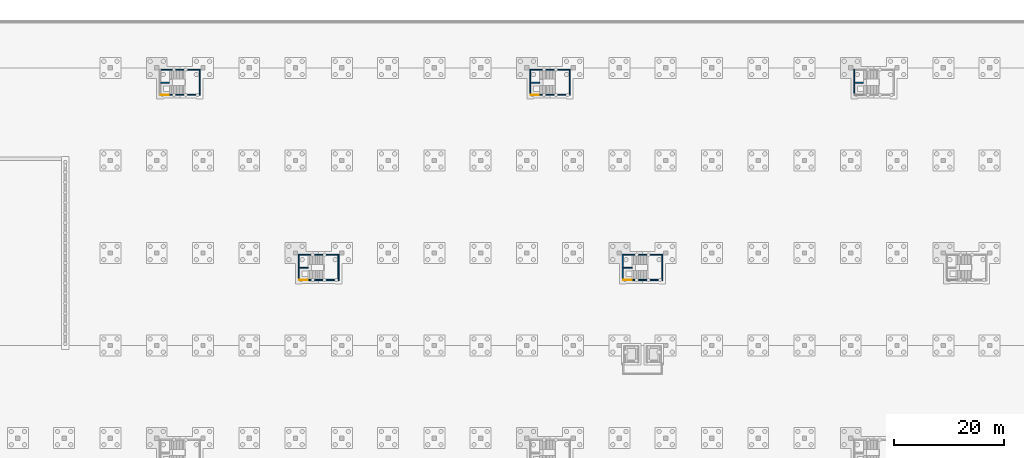
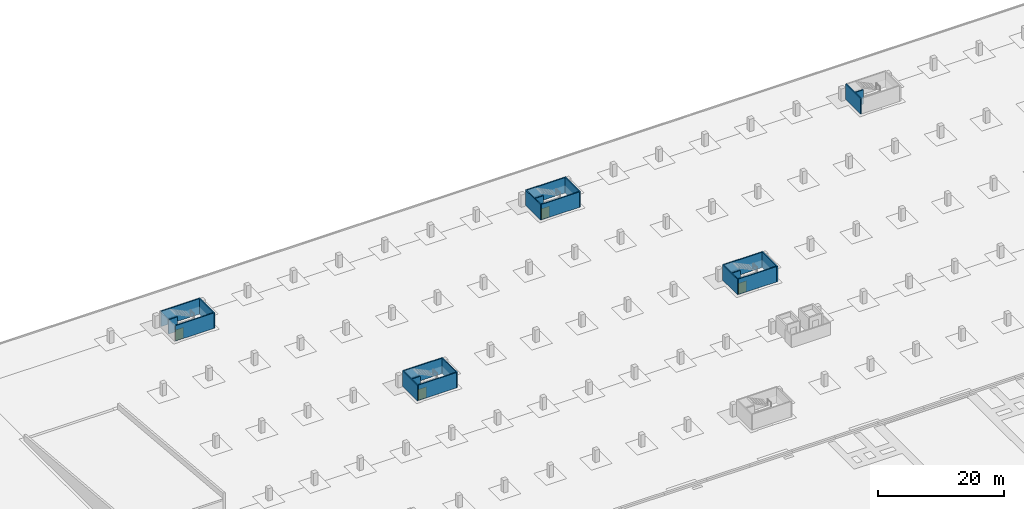
# One storey, part 46 of 67: 21 walls, 4 doors, 4 openings.
"""IFC4 building model written with IfcOpenShell, lengths in metres."""

import ifcopenshell
import ifcopenshell.guid

model = None  # the IFC model being written
_history = None  # IfcOwnerHistory: only IFC2X3 demands one
_inside = {}  # id of a spatial element -> (the spatial element, [elements in it])
_under = {}  # id of a project, library or spatial element -> (it, [spatial elements below it])
_declared = {}  # id of a project -> (the project, [libraries it declares])
_typed = {}  # id of a type object -> (the type object, [elements of that type])
_made_of = {}  # id of a material, layer set ... -> (it, [elements and type objects made of it])


def new_model(schema):
    """Start an empty IFC model of exactly this schema.

    Asked for "IFC4X3", IfcOpenShell would pick the latest addendum, in which some entities
    have other attributes; the version numbers below select the first issue.
    IFC2X3 requires an IfcOwnerHistory on every rooted entity: one is made here for all.
    """
    global model, _history
    if schema == "IFC4X3":
        model = ifcopenshell.file(schema_version=(4, 3, 0, 0))
    else:
        model = ifcopenshell.file(schema=schema)
    _inside.clear()
    _under.clear()
    _declared.clear()
    _typed.clear()
    _made_of.clear()
    _history = None
    if model.schema == "IFC2X3":
        org = make("IfcOrganization", Name="unknown")
        user = make(
            "IfcPersonAndOrganization",
            ThePerson=make("IfcPerson", FamilyName="unknown"),
            TheOrganization=org,
        )
        app = make(
            "IfcApplication",
            ApplicationDeveloper=org,
            Version="unknown",
            ApplicationFullName="unknown",
            ApplicationIdentifier="unknown",
        )
        _history = make(
            "IfcOwnerHistory",
            OwningUser=user,
            OwningApplication=app,
            ChangeAction="ADDED",
            CreationDate=0,
        )
    return model


def make(cls, **values):
    """One entity of the class cls with the attributes given. An attribute that is None is left unset."""
    return model.create_entity(
        cls, **{name: value for name, value in values.items() if value is not None}
    )


def rooted(cls, **values):
    """An entity with a GlobalId (a new one), such as an element, a storey or a relation."""
    return make(cls, GlobalId=ifcopenshell.guid.new(), OwnerHistory=_history, **values)


def si_unit(unit_type, name, prefix=None):
    """IfcSIUnit, for example si_unit("LENGTHUNIT", "METRE", prefix="MILLI")."""
    return make("IfcSIUnit", UnitType=unit_type, Prefix=prefix, Name=name)


def assignment(units):
    """IfcUnitAssignment: the units of a project."""
    return None if units is None else make("IfcUnitAssignment", Units=units)


def point(xyz):
    """IfcCartesianPoint."""
    return None if xyz is None else make("IfcCartesianPoint", Coordinates=xyz)


def direction(xyz):
    """IfcDirection."""
    return None if xyz is None else make("IfcDirection", DirectionRatios=xyz)


def frame(location, z_axis=None, x_axis=None):
    """IfcAxis2Placement3D, a coordinate frame: its origin and axes. An axis left out is left unset."""
    return make(
        "IfcAxis2Placement3D",
        Location=point(location),
        Axis=direction(z_axis),
        RefDirection=direction(x_axis),
    )


def frame_2d(location, x_axis=None):
    """IfcAxis2Placement2D, a coordinate frame in the plane: its origin and x axis."""
    return make(
        "IfcAxis2Placement2D", Location=point(location), RefDirection=direction(x_axis)
    )


def origin():
    """The frame at (0, 0, 0) with its axes left unset."""
    return frame((0.0, 0.0, 0.0))


def place(relative_to, where):
    """IfcLocalPlacement: puts the frame where relative to a parent placement (None: the world)."""
    return make(
        "IfcLocalPlacement", PlacementRelTo=relative_to, RelativePlacement=where
    )


def context(
    kind, dimensions, precision=None, world=None, true_north=None, identifier=None
):
    """IfcGeometricRepresentationContext, for example the 3D "Model" context."""
    return make(
        "IfcGeometricRepresentationContext",
        ContextIdentifier=identifier,
        ContextType=kind,
        CoordinateSpaceDimension=dimensions,
        Precision=precision,
        WorldCoordinateSystem=world,
        TrueNorth=true_north,
    )


def subcontext(parent, identifier, kind, view, scale=None):
    """IfcGeometricRepresentationSubContext, for example "Body" below "Model"."""
    return make(
        "IfcGeometricRepresentationSubContext",
        ContextIdentifier=identifier,
        ContextType=kind,
        ParentContext=parent,
        TargetScale=scale,
        TargetView=view,
    )


def project(units=None, contexts=None):
    """IfcProject with its units and contexts."""
    return rooted(
        "IfcProject",
        Name="project",
        RepresentationContexts=contexts,
        UnitsInContext=assignment(units),
    )


def spatial(cls, under=None, at=None, **own):
    """A site, building, storey or space (cls), placed at a placement, below another one or the project."""
    s = rooted(cls, ObjectPlacement=at, **own)
    if under is not None:
        _under.setdefault(under.id(), (under, []))[1].append(s)
    return s


def profile(cls, at=None, kind="AREA", **sizes):
    """A parametric profile (cls). Its sizes go by their IFC names, for example OverallWidth=200.0."""
    return make(cls, ProfileType=kind, Position=at, **sizes)


def rectangle(**sizes):
    """IfcRectangleProfileDef."""
    return profile("IfcRectangleProfileDef", **sizes)


def extrude(swept, where, along, depth):
    """IfcExtrudedAreaSolid: the profile swept, set in the frame where, extruded along a direction by depth."""
    return make(
        "IfcExtrudedAreaSolid",
        SweptArea=swept,
        Position=where,
        ExtrudedDirection=direction(along),
        Depth=depth,
    )


def shape(context_of_items, identifier, shape_type, items):
    """IfcShapeRepresentation: the items that make up one representation, for example the "Body"."""
    return make(
        "IfcShapeRepresentation",
        ContextOfItems=context_of_items,
        RepresentationIdentifier=identifier,
        RepresentationType=shape_type,
        Items=items,
    )


def material(Name=None, Category=None):
    """IfcMaterial."""
    return make("IfcMaterial", Name=Name, Category=Category)


def layer(
    of_material, thickness, ventilated=None, Name=None, Category=None, Priority=None
):
    """IfcMaterialLayer: one layer of a wall or slab, of a material (None: an air gap)."""
    return make(
        "IfcMaterialLayer",
        Material=of_material,
        LayerThickness=thickness,
        IsVentilated=ventilated,
        Name=Name,
        Category=Category,
        Priority=Priority,
    )


def layer_set(layers, Name=None):
    """IfcMaterialLayerSet."""
    return make("IfcMaterialLayerSet", MaterialLayers=layers, LayerSetName=Name)


def made_of(thing, what):
    """Note that an element or type object is made of a material, layer set ...; save() writes the relation."""
    if what is not None:
        _made_of.setdefault(what.id(), (what, []))[1].append(thing)
    return thing


def type_object(cls, material=None, **own):
    """A type object (cls), such as IfcWallType, which elements share."""
    return made_of(rooted(cls, **own), material)


def element(
    cls,
    number,
    at=None,
    inside=None,
    cuts=None,
    type_object=None,
    material=None,
    context=None,
    identifier="Body",
    shape_type=None,
    held_by="IfcProductDefinitionShape",
    body=None,
    shapes=None,
    **own,
):
    """One element of the class cls, such as IfcWall. Its Tag is "e" and its number.

    at: its placement. inside: the storey or other place that contains it. cuts: it is an
    opening in that element (IfcRelVoidsElement). A single representation is given by context,
    identifier, shape_type and body (its items); several are given by shapes. held_by: the class
    of the entity that holds the representations. save() writes the other relations.
    """
    e = rooted(cls, Tag="e%d" % number, ObjectPlacement=at, **own)
    if body is not None:
        shapes = [shape(context, identifier, shape_type, body)]
    if shapes is not None:
        e.Representation = make(held_by, Representations=shapes)
    if inside is not None:
        _inside.setdefault(inside.id(), (inside, []))[1].append(e)
    if cuts is not None:
        rooted(
            "IfcRelVoidsElement", RelatingBuildingElement=cuts, RelatedOpeningElement=e
        )
    if type_object is not None:
        _typed.setdefault(type_object.id(), (type_object, []))[1].append(e)
    return made_of(e, material)


def fill(opening, filler):
    """IfcRelFillsElement: the door or window that sits in an opening."""
    return rooted(
        "IfcRelFillsElement",
        RelatingOpeningElement=opening,
        RelatedBuildingElement=filler,
    )


def aggregate(whole, parts):
    """IfcRelAggregates: a whole, such as a stair, and the parts it consists of."""
    return rooted("IfcRelAggregates", RelatingObject=whole, RelatedObjects=parts)


def save(model, path):
    """Write the relations noted so far, then the file.

    IfcRelAggregates (storeys below a building ...), IfcRelContainedInSpatialStructure (elements
    in a storey), IfcRelDefinesByType, IfcRelAssociatesMaterial and IfcRelDeclares: one each for
    every whole, place, type object, material and project.
    """
    for whole, parts in _under.values():
        aggregate(whole, parts)
    for where, things in _inside.values():
        rooted(
            "IfcRelContainedInSpatialStructure",
            RelatedElements=things,
            RelatingStructure=where,
        )
    for kind, things in _typed.values():
        rooted("IfcRelDefinesByType", RelatedObjects=things, RelatingType=kind)
    for what, things in _made_of.values():
        rooted("IfcRelAssociatesMaterial", RelatedObjects=things, RelatingMaterial=what)
    for by, libraries in _declared.values():
        rooted("IfcRelDeclares", RelatingContext=by, RelatedDefinitions=libraries)
    model.write(path)


model = new_model("IFC4")

# Units and contexts
model_context = context("Model", 3, precision=1e-05, world=origin(), true_north=direction((0.0, 1.0)))
body_context = subcontext(model_context, "Body", "Model", "MODEL_VIEW")
ifc_project = project(units=[si_unit("LENGTHUNIT", "METRE"), si_unit("AREAUNIT", "SQUARE_METRE"), si_unit("VOLUMEUNIT", "CUBIC_METRE"), si_unit("PLANEANGLEUNIT", "RADIAN"), si_unit("MASSUNIT", "GRAM", prefix="KILO")], contexts=[model_context])

# Site, building, storey
site_placement = place(None, origin())
site = spatial("IfcSite", under=ifc_project, at=site_placement, CompositionType="ELEMENT")
building_placement = place(site_placement, origin())
building = spatial("IfcBuilding", under=site, at=building_placement, Name="Rain Tree Exposition and Congress Centre", CompositionType="ELEMENT")
storey_placement = place(building_placement, frame((0.0, 0.0, -3.0)))
storey = spatial("IfcBuildingStorey", under=building, at=storey_placement, Name="B1", CompositionType="ELEMENT", Elevation=-3.0)

# Walls
ifc_material_1 = material(Name="Concrete C40/50", Category="concrete")
ifc_layer = layer(ifc_material_1, 0.199951171875)
ifc_layer_set = layer_set([ifc_layer], Name="Concrete C40/50")
wall_type = type_object("IfcWallType", Name="Exit stair wall 200", PredefinedType="PARTITIONING", material=ifc_layer_set)
for number, where, z_axis, x_axis, name in (
    (1, (67.800048828125, 247.0, 0.0), (0.0, 0.0, 1.0), (0.0, 1.0, 0.0), "Exit stair N05 wall west"),
    (2, (75.0, 247.0, 0.0), (0.0, 0.0, 1.0), (0.0, 1.0, 0.0), "Exit stair N05 wall east"),
):
    element("IfcWall", number, at=place(storey_placement, frame(where, z_axis=z_axis, x_axis=x_axis)), inside=storey, type_object=wall_type, Name=name, PredefinedType="SOLIDWALL", context=body_context, shape_type="SweptSolid", body=[
        extrude(rectangle(XDim=4.800048828125, YDim=0.199951171875, at=frame_2d((2.39990234375, 0.0))), origin(), (0.0, 0.0, 1.0), 3.0),
    ])

# Wall, opening, door
wall_1_placement = place(storey_placement, frame((67.89990234375, 247.10009765625, 0.0), z_axis=(0.0, 0.0, 1.0), x_axis=(1.0, 0.0, 0.0)))
wall_1 = element("IfcWall", 3, at=wall_1_placement, inside=storey, type_object=wall_type, Name="Exit stair N05 wall south", PredefinedType="SOLIDWALL", context=body_context, shape_type="SweptSolid", body=[
    extrude(rectangle(XDim=7.0, YDim=0.199951171875, at=frame_2d((3.5, 0.0))), origin(), (0.0, 0.0, 1.0), 3.0),
])
opening_1_placement = place(wall_1_placement, origin())
opening_1 = element("IfcOpeningElement", 4, at=opening_1_placement, cuts=wall_1, Name="Opening DS147", PredefinedType="OPENING", context=body_context, shape_type="SweptSolid", body=[
    extrude(rectangle(XDim=1.5, YDim=2.10009765625, at=frame_2d((0.75, 1.050048828125))), frame((0.0, 0.10009765625, 0.0), z_axis=(0.0, -1.0, 0.0), x_axis=(1.0, 0.0, 0.0)), (0.0, 0.0, 1.0), 0.199951171875),
])
ifc_material_2 = material(Name="Powder-coated steel", Category="steel")
door_type = type_object("IfcDoorType", Name="Exit stair door 1500x2100", OperationType="NOTDEFINED", PredefinedType="DOOR", material=ifc_material_2)
door_1_placement = place(opening_1_placement, origin())
door_1 = element("IfcDoor", 5, at=door_1_placement, inside=storey, type_object=door_type, Name="Exit stair N05 door B1", OperationType="SINGLE_SWING_LEFT", OverallHeight=2.10009765625, OverallWidth=1.5, PredefinedType="DOOR", context=body_context, shape_type="SweptSolid", body=[
    extrude(rectangle(XDim=1.5, YDim=2.10009765625, at=frame_2d((0.75, 1.050048828125))), frame((0.0, 0.02490234375, 0.0), z_axis=(0.0, -1.0, 0.0), x_axis=(1.0, 0.0, 0.0)), (0.0, 0.0, 1.0), 0.050048828125),
])
fill(opening_1, door_1)

# Walls
wall_2_placement = place(storey_placement, frame((67.89990234375, 251.699951171875, 0.0), z_axis=(0.0, 0.0, 1.0), x_axis=(1.0, 0.0, 0.0)))
element("IfcWall", 6, at=wall_2_placement, inside=storey, type_object=wall_type, Name="Exit stair N05 wall north", PredefinedType="SOLIDWALL", context=body_context, shape_type="SweptSolid", body=[
    extrude(rectangle(XDim=7.0, YDim=0.199951171875, at=frame_2d((3.5, 0.0))), origin(), (0.0, 0.0, 1.0), 3.0),
])
wall_3_placement = place(storey_placement, frame((67.89990234375, 249.300048828125, 0.0), z_axis=(0.0, 0.0, 1.0), x_axis=(1.0, 0.0, 0.0)))
element("IfcWall", 7, at=wall_3_placement, inside=storey, type_object=wall_type, Name="Exit stair N05 landing support", PredefinedType="SOLIDWALL", context=body_context, shape_type="SweptSolid", body=[
    extrude(rectangle(XDim=1.60009765625, YDim=0.199951171875, at=frame_2d((0.800048828125, 0.0))), origin(), (0.0, 0.0, 1.0), 2.800048828125),
])
for number, where, z_axis, x_axis, name in (
    (8, (126.60009765625, 247.0, 0.0), (0.0, 0.0, 1.0), (0.0, 1.0, 0.0), "Exit stair N06 wall west"),
    (9, (133.800048828125, 247.0, 0.0), (0.0, 0.0, 1.0), (0.0, 1.0, 0.0), "Exit stair N06 wall east"),
):
    element("IfcWall", number, at=place(storey_placement, frame(where, z_axis=z_axis, x_axis=x_axis)), inside=storey, type_object=wall_type, Name=name, PredefinedType="SOLIDWALL", context=body_context, shape_type="SweptSolid", body=[
        extrude(rectangle(XDim=4.800048828125, YDim=0.199951171875, at=frame_2d((2.39990234375, 0.0))), origin(), (0.0, 0.0, 1.0), 3.0),
    ])

# Wall, opening, door
wall_4_placement = place(storey_placement, frame((126.699951171875, 247.10009765625, 0.0), z_axis=(0.0, 0.0, 1.0), x_axis=(1.0, 0.0, 0.0)))
wall_4 = element("IfcWall", 10, at=wall_4_placement, inside=storey, type_object=wall_type, Name="Exit stair N06 wall south", PredefinedType="SOLIDWALL", context=body_context, shape_type="SweptSolid", body=[
    extrude(rectangle(XDim=7.0, YDim=0.199951171875, at=frame_2d((3.5, 0.0))), origin(), (0.0, 0.0, 1.0), 3.0),
])
opening_2_placement = place(wall_4_placement, origin())
opening_2 = element("IfcOpeningElement", 11, at=opening_2_placement, cuts=wall_4, Name="Opening DS149", PredefinedType="OPENING", context=body_context, shape_type="SweptSolid", body=[
    extrude(rectangle(XDim=1.5, YDim=2.10009765625, at=frame_2d((0.75, 1.050048828125))), frame((0.0, 0.10009765625, 0.0), z_axis=(0.0, -1.0, 0.0), x_axis=(1.0, 0.0, 0.0)), (0.0, 0.0, 1.0), 0.199951171875),
])
door_2_placement = place(opening_2_placement, origin())
door_2 = element("IfcDoor", 12, at=door_2_placement, inside=storey, type_object=door_type, Name="Exit stair N06 door B1", OperationType="SINGLE_SWING_LEFT", OverallHeight=2.10009765625, OverallWidth=1.5, PredefinedType="DOOR", context=body_context, shape_type="SweptSolid", body=[
    extrude(rectangle(XDim=1.5, YDim=2.10009765625, at=frame_2d((0.75, 1.050048828125))), frame((0.0, 0.02490234375, 0.0), z_axis=(0.0, -1.0, 0.0), x_axis=(1.0, 0.0, 0.0)), (0.0, 0.0, 1.0), 0.050048828125),
])
fill(opening_2, door_2)

# Walls
wall_5_placement = place(storey_placement, frame((126.699951171875, 251.699951171875, 0.0), z_axis=(0.0, 0.0, 1.0), x_axis=(1.0, 0.0, 0.0)))
element("IfcWall", 13, at=wall_5_placement, inside=storey, type_object=wall_type, Name="Exit stair N06 wall north", PredefinedType="SOLIDWALL", context=body_context, shape_type="SweptSolid", body=[
    extrude(rectangle(XDim=7.0, YDim=0.199951171875, at=frame_2d((3.5, 0.0))), origin(), (0.0, 0.0, 1.0), 3.0),
])
wall_6_placement = place(storey_placement, frame((126.699951171875, 249.300048828125, 0.0), z_axis=(0.0, 0.0, 1.0), x_axis=(1.0, 0.0, 0.0)))
element("IfcWall", 14, at=wall_6_placement, inside=storey, type_object=wall_type, Name="Exit stair N06 landing support", PredefinedType="SOLIDWALL", context=body_context, shape_type="SweptSolid", body=[
    extrude(rectangle(XDim=1.60009765625, YDim=0.199951171875, at=frame_2d((0.800048828125, 0.0))), origin(), (0.0, 0.0, 1.0), 2.800048828125),
])
wall_7_placement = place(storey_placement, frame((49.800048828125, 280.60009765625, 0.0), z_axis=(0.0, 0.0, 1.0), x_axis=(0.0, 1.0, 0.0)))
element("IfcWall", 15, at=wall_7_placement, inside=storey, type_object=wall_type, Name="Exit stair N09 wall east", PredefinedType="SOLIDWALL", context=body_context, shape_type="SweptSolid", body=[
    extrude(rectangle(XDim=4.7998046875, YDim=0.199951171875, at=frame_2d((2.39990234375, 0.0))), origin(), (0.0, 0.0, 1.0), 3.0),
])

# Wall, opening, door
wall_8_placement = place(storey_placement, frame((42.699951171875, 280.699951171875, 0.0), z_axis=(0.0, 0.0, 1.0), x_axis=(1.0, 0.0, 0.0)))
wall_8 = element("IfcWall", 16, at=wall_8_placement, inside=storey, type_object=wall_type, Name="Exit stair N09 wall south", PredefinedType="SOLIDWALL", context=body_context, shape_type="SweptSolid", body=[
    extrude(rectangle(XDim=7.0, YDim=0.199951171875, at=frame_2d((3.5, 0.0))), origin(), (0.0, 0.0, 1.0), 3.0),
])
opening_3_placement = place(wall_8_placement, origin())
opening_3 = element("IfcOpeningElement", 17, at=opening_3_placement, cuts=wall_8, Name="Opening DS155", PredefinedType="OPENING", context=body_context, shape_type="SweptSolid", body=[
    extrude(rectangle(XDim=1.5, YDim=2.10009765625, at=frame_2d((0.75, 1.050048828125))), frame((0.0, 0.10009765625, 0.0), z_axis=(0.0, -1.0, 0.0), x_axis=(1.0, 0.0, 0.0)), (0.0, 0.0, 1.0), 0.199951171875),
])
door_3_placement = place(opening_3_placement, origin())
door_3 = element("IfcDoor", 18, at=door_3_placement, inside=storey, type_object=door_type, Name="Exit stair N09 door B1", OperationType="SINGLE_SWING_LEFT", OverallHeight=2.10009765625, OverallWidth=1.5, PredefinedType="DOOR", context=body_context, shape_type="SweptSolid", body=[
    extrude(rectangle(XDim=1.5, YDim=2.10009765625, at=frame_2d((0.75, 1.050048828125))), frame((0.0, 0.02490234375, 0.0), z_axis=(0.0, -1.0, 0.0), x_axis=(1.0, 0.0, 0.0)), (0.0, 0.0, 1.0), 0.050048828125),
])
fill(opening_3, door_3)

# Walls
wall_9_placement = place(storey_placement, frame((42.699951171875, 285.300048828125, 0.0), z_axis=(0.0, 0.0, 1.0), x_axis=(1.0, 0.0, 0.0)))
element("IfcWall", 19, at=wall_9_placement, inside=storey, type_object=wall_type, Name="Exit stair N09 wall north", PredefinedType="SOLIDWALL", context=body_context, shape_type="SweptSolid", body=[
    extrude(rectangle(XDim=7.0, YDim=0.199951171875, at=frame_2d((3.5, 0.0))), origin(), (0.0, 0.0, 1.0), 3.0),
])
wall_10_placement = place(storey_placement, frame((42.699951171875, 282.89990234375, 0.0), z_axis=(0.0, 0.0, 1.0), x_axis=(1.0, 0.0, 0.0)))
element("IfcWall", 20, at=wall_10_placement, inside=storey, type_object=wall_type, Name="Exit stair N09 landing support", PredefinedType="SOLIDWALL", context=body_context, shape_type="SweptSolid", body=[
    extrude(rectangle(XDim=1.60009765625, YDim=0.199951171875, at=frame_2d((0.800048828125, 0.0))), origin(), (0.0, 0.0, 1.0), 2.800048828125),
])
for number, where, z_axis, x_axis, name in (
    (21, (109.800048828125, 280.60009765625, 0.0), (0.0, 0.0, 1.0), (0.0, 1.0, 0.0), "Exit stair N10 wall west"),
    (22, (117.0, 280.60009765625, 0.0), (0.0, 0.0, 1.0), (0.0, 1.0, 0.0), "Exit stair N10 wall east"),
):
    element("IfcWall", number, at=place(storey_placement, frame(where, z_axis=z_axis, x_axis=x_axis)), inside=storey, type_object=wall_type, Name=name, PredefinedType="SOLIDWALL", context=body_context, shape_type="SweptSolid", body=[
        extrude(rectangle(XDim=4.7998046875, YDim=0.199951171875, at=frame_2d((2.39990234375, 0.0))), origin(), (0.0, 0.0, 1.0), 3.0),
    ])

# Wall, opening, door
wall_11_placement = place(storey_placement, frame((109.89990234375, 280.699951171875, 0.0), z_axis=(0.0, 0.0, 1.0), x_axis=(1.0, 0.0, 0.0)))
wall_11 = element("IfcWall", 23, at=wall_11_placement, inside=storey, type_object=wall_type, Name="Exit stair N10 wall south", PredefinedType="SOLIDWALL", context=body_context, shape_type="SweptSolid", body=[
    extrude(rectangle(XDim=7.0, YDim=0.199951171875, at=frame_2d((3.5, 0.0))), origin(), (0.0, 0.0, 1.0), 3.0),
])
opening_4_placement = place(wall_11_placement, origin())
opening_4 = element("IfcOpeningElement", 24, at=opening_4_placement, cuts=wall_11, Name="Opening DS157", PredefinedType="OPENING", context=body_context, shape_type="SweptSolid", body=[
    extrude(rectangle(XDim=1.5, YDim=2.10009765625, at=frame_2d((0.75, 1.050048828125))), frame((0.0, 0.10009765625, 0.0), z_axis=(0.0, -1.0, 0.0), x_axis=(1.0, 0.0, 0.0)), (0.0, 0.0, 1.0), 0.199951171875),
])
door_4_placement = place(opening_4_placement, origin())
door_4 = element("IfcDoor", 25, at=door_4_placement, inside=storey, type_object=door_type, Name="Exit stair N10 door B1", OperationType="SINGLE_SWING_LEFT", OverallHeight=2.10009765625, OverallWidth=1.5, PredefinedType="DOOR", context=body_context, shape_type="SweptSolid", body=[
    extrude(rectangle(XDim=1.5, YDim=2.10009765625, at=frame_2d((0.75, 1.050048828125))), frame((0.0, 0.02490234375, 0.0), z_axis=(0.0, -1.0, 0.0), x_axis=(1.0, 0.0, 0.0)), (0.0, 0.0, 1.0), 0.050048828125),
])
fill(opening_4, door_4)

# Walls
wall_12_placement = place(storey_placement, frame((109.89990234375, 285.300048828125, 0.0), z_axis=(0.0, 0.0, 1.0), x_axis=(1.0, 0.0, 0.0)))
element("IfcWall", 26, at=wall_12_placement, inside=storey, type_object=wall_type, Name="Exit stair N10 wall north", PredefinedType="SOLIDWALL", context=body_context, shape_type="SweptSolid", body=[
    extrude(rectangle(XDim=7.0, YDim=0.199951171875, at=frame_2d((3.5, 0.0))), origin(), (0.0, 0.0, 1.0), 3.0),
])
wall_13_placement = place(storey_placement, frame((109.89990234375, 282.89990234375, 0.0), z_axis=(0.0, 0.0, 1.0), x_axis=(1.0, 0.0, 0.0)))
element("IfcWall", 27, at=wall_13_placement, inside=storey, type_object=wall_type, Name="Exit stair N10 landing support", PredefinedType="SOLIDWALL", context=body_context, shape_type="SweptSolid", body=[
    extrude(rectangle(XDim=1.60009765625, YDim=0.199951171875, at=frame_2d((0.800048828125, 0.0))), origin(), (0.0, 0.0, 1.0), 2.800048828125),
])
wall_14_placement = place(storey_placement, frame((168.60009765625, 280.60009765625, 0.0), z_axis=(0.0, 0.0, 1.0), x_axis=(0.0, 1.0, 0.0)))
element("IfcWall", 28, at=wall_14_placement, inside=storey, type_object=wall_type, Name="Exit stair N11 wall west", PredefinedType="SOLIDWALL", context=body_context, shape_type="SweptSolid", body=[
    extrude(rectangle(XDim=4.7998046875, YDim=0.199951171875, at=frame_2d((2.39990234375, 0.0))), origin(), (0.0, 0.0, 1.0), 3.0),
])
wall_15_placement = place(storey_placement, frame((168.699951171875, 282.89990234375, 0.0), z_axis=(0.0, 0.0, 1.0), x_axis=(1.0, 0.0, 0.0)))
element("IfcWall", 29, at=wall_15_placement, inside=storey, type_object=wall_type, Name="Exit stair N11 landing support", PredefinedType="SOLIDWALL", context=body_context, shape_type="SweptSolid", body=[
    extrude(rectangle(XDim=1.60009765625, YDim=0.199951171875, at=frame_2d((0.800048828125, 0.0))), origin(), (0.0, 0.0, 1.0), 2.800048828125),
])

save(model, "model.ifc")
